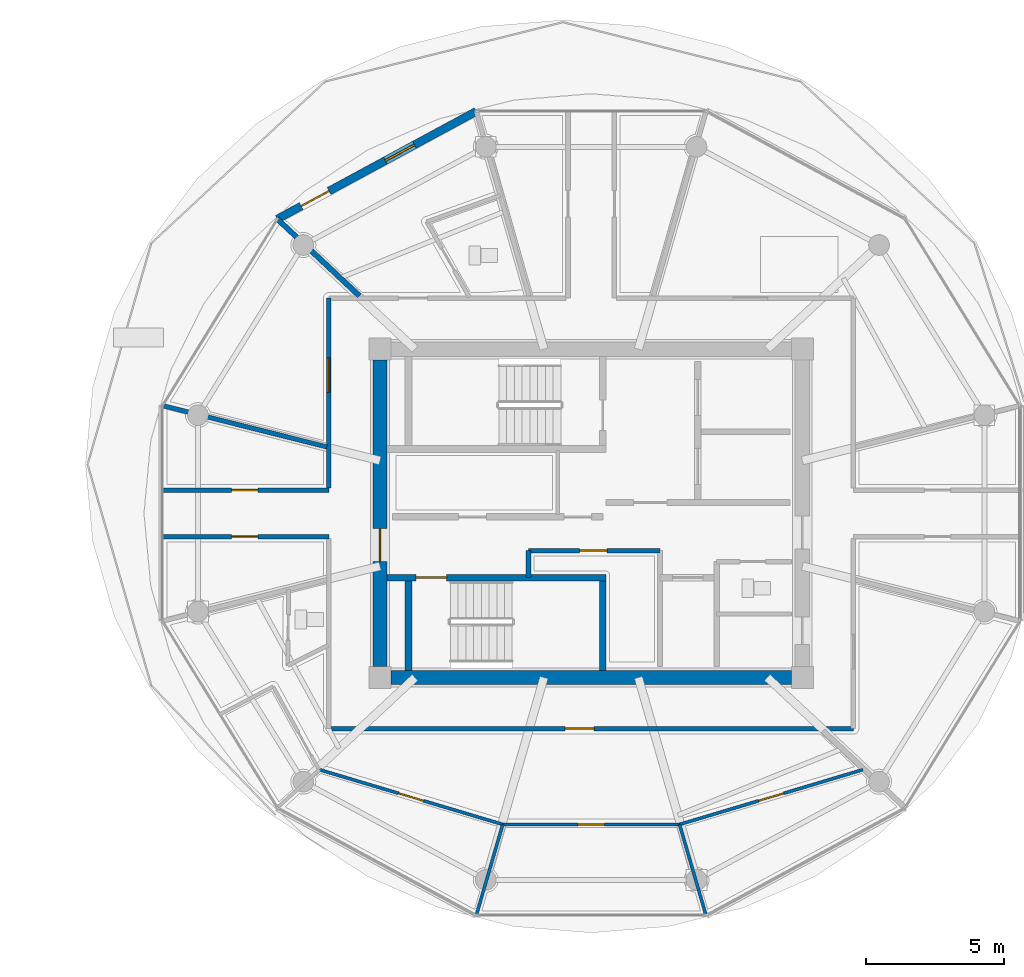
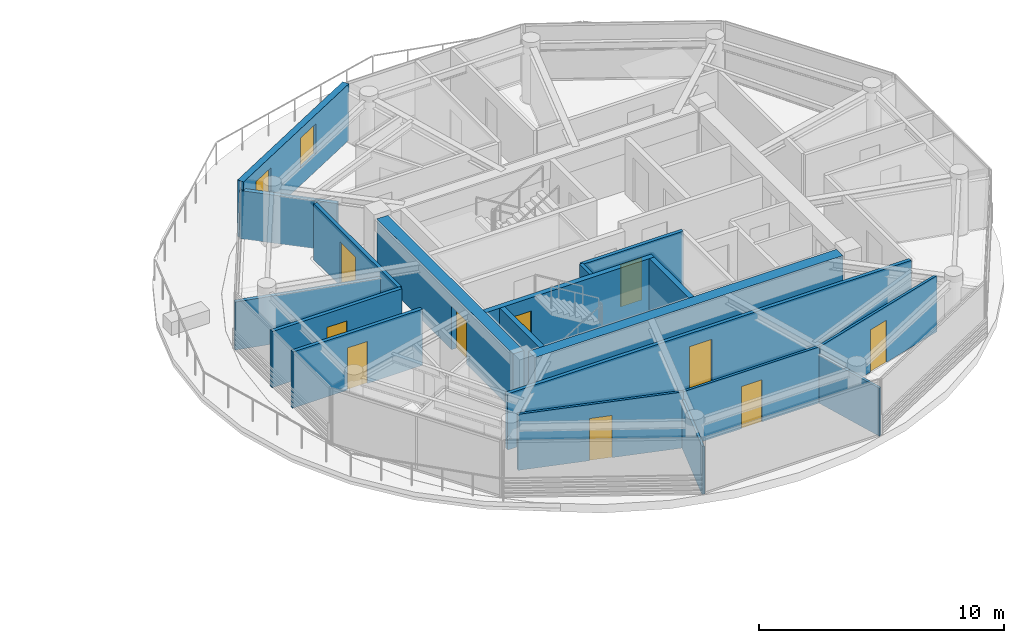
# One storey, part 13 of 28: 19 walls, 11 doors, 1 window, 12 openings.
"""IFC4 building model written with IfcOpenShell, lengths in metres."""

from ifc_helpers import new_model, si_unit, direction, frame, frame_2d, origin, place, context, subcontext, project, spatial, rectangle, extrude, source, transform, mapped, material, layer, layer_set, type_object, type_shapes, element, fill, save


model = new_model("IFC4")

# Units and contexts
model_context = context("Model", 3, precision=1e-05, world=origin(), true_north=direction((0.0, 1.0)))
body_context = subcontext(model_context, "Body", "Model", "MODEL_VIEW")
ifc_project = project(units=[si_unit("LENGTHUNIT", "METRE"), si_unit("AREAUNIT", "SQUARE_METRE"), si_unit("VOLUMEUNIT", "CUBIC_METRE"), si_unit("PLANEANGLEUNIT", "RADIAN"), si_unit("MASSUNIT", "GRAM", prefix="KILO")], contexts=[model_context])

# Site, building, storey
site_placement = place(None, origin())
site = spatial("IfcSite", under=ifc_project, at=site_placement, CompositionType="ELEMENT")
building_placement = place(site_placement, origin())
building = spatial("IfcBuilding", under=site, at=building_placement, Name="Norrkilde Senior Care Towers", CompositionType="ELEMENT")
storey_placement = place(building_placement, frame((0.0, 0.0, 190.64990234375)))
storey = spatial("IfcBuildingStorey", under=building, at=storey_placement, Name="L59", CompositionType="ELEMENT", Elevation=190.64990234375)

# Wall
ifc_material_1 = material(Name="Concrete C50/60", Category="concrete")
ifc_layer_1 = layer(ifc_material_1, 0.52001953125)
ifc_layer_set_1 = layer_set([ifc_layer_1], Name="Concrete C50/60")
wall_type_1 = type_object("IfcWallType", Name="Core Shear Wall Z4 520", PredefinedType="SHEAR", material=ifc_layer_set_1)
shared_shape_1 = source(origin(), body_context, "Body", "SweptSolid", [
    extrude(rectangle(XDim=14.5, YDim=0.52001953125, at=frame_2d((7.25, 0.0))), origin(), (0.0, 0.0, 1.0), 2.81005859375),
])
wall_1_placement = place(storey_placement, frame((35.25, -5.949951171875, 0.0), z_axis=(0.0, 0.0, 1.0), x_axis=(-1.0, 0.0, 0.0)))
element("IfcWall", 1, at=wall_1_placement, inside=storey, type_object=wall_type_1, Name="L59 Core E South Shear Wall", PredefinedType="SHEAR", context=body_context, shape_type="MappedRepresentation", body=[
    mapped(shared_shape_1, transform((0.0, 0.0, 0.0), x_axis=(1.0, 0.0, 0.0), y_axis=(0.0, 1.0, 0.0), z_axis=(0.0, 0.0, 1.0), scale=1.0)),
])

# Wall, opening, door
shared_shape_2 = source(origin(), body_context, "Body", "SweptSolid", [
    extrude(rectangle(XDim=11.10009765625, YDim=0.52001953125, at=frame_2d((5.550048828125, 0.0))), origin(), (0.0, 0.0, 1.0), 2.81005859375),
])
type_shapes(wall_type_1, [shared_shape_1, shared_shape_2])
wall_2_placement = place(storey_placement, frame((20.35009765625, -5.550048828125, 0.0), z_axis=(0.0, 0.0, 1.0), x_axis=(0.0, 1.0, 0.0)))
wall_2 = element("IfcWall", 2, at=wall_2_placement, inside=storey, type_object=wall_type_1, Name="L59 Core E West Shear Wall", PredefinedType="SHEAR", context=body_context, shape_type="MappedRepresentation", body=[
    mapped(shared_shape_2, transform((0.0, 0.0, 0.0), x_axis=(1.0, 0.0, 0.0), y_axis=(0.0, 1.0, 0.0), z_axis=(0.0, 0.0, 1.0), scale=1.0)),
])
opening_1_placement = place(wall_2_placement, frame((3.800048828125, 0.0, 0.0)))
opening_1 = element("IfcOpeningElement", 3, at=opening_1_placement, cuts=wall_2, Name="Opening D-04", PredefinedType="OPENING", context=body_context, shape_type="SweptSolid", body=[
    extrude(rectangle(XDim=1.199951171875, YDim=2.14990234375, at=frame_2d((0.60009765625, 1.074951171875))), frame((0.0, 0.27001953125, 0.0), z_axis=(0.0, -1.0, 0.0), x_axis=(1.0, 0.0, 0.0)), (0.0, 0.0, 1.0), 0.5400390625),
])
ifc_material_2 = material(Name="Galvanised Painted Steel", Category="steel")
door_type_1 = type_object("IfcDoorType", Name="Firefighting Lobby Fire Door 1200x2150", OperationType="NOTDEFINED", PredefinedType="DOOR", material=ifc_material_2)
shared_shape_3 = source(origin(), body_context, "Body", "SweptSolid", [
    extrude(rectangle(XDim=1.199951171875, YDim=2.14990234375, at=frame_2d((0.60009765625, 1.074951171875))), frame((0.0, 0.02490234375, 0.0), z_axis=(0.0, -1.0, 0.0), x_axis=(1.0, 0.0, 0.0)), (0.0, 0.0, 1.0), 0.050048828125),
])
type_shapes(door_type_1, [shared_shape_3])
door_1_placement = place(opening_1_placement, frame((1.199951171875, 0.0, 0.0), z_axis=(0.0, 0.0, 1.0), x_axis=(-1.0, 0.0, 0.0)))
door_1 = element("IfcDoor", 4, at=door_1_placement, inside=storey, type_object=door_type_1, Name="L59 Core E West Portal Door", OperationType="SINGLE_SWING_LEFT", OverallHeight=2.14990234375, OverallWidth=1.199951171875, PredefinedType="DOOR", context=body_context, shape_type="MappedRepresentation", body=[
    mapped(shared_shape_3, transform((0.0, 0.0, 0.0), x_axis=(1.0, 0.0, 0.0), y_axis=(0.0, 1.0, 0.0), z_axis=(0.0, 0.0, 1.0), scale=1.0)),
])
fill(opening_1, door_1)

# Wall, openings, door, window
ifc_material_3 = material(Name="Precast concrete C45/55", Category="concrete")
ifc_layer_2 = layer(ifc_material_3, 0.2900390625)
ifc_layer_set_2 = layer_set([ifc_layer_2], Name="Precast concrete C45/55")
wall_type_2 = type_object("IfcWallType", Name="Winter Garden Facade Wall 290", PredefinedType="SOLIDWALL", material=ifc_layer_set_2)
shared_shape_4 = source(origin(), body_context, "Body", "SweptSolid", [
    extrude(rectangle(XDim=8.197265625, YDim=0.2900390625, at=frame_2d((4.0986328125, 0.0))), origin(), (0.0, 0.0, 1.0), 2.81005859375),
])
type_shapes(wall_type_2, [shared_shape_4])
wall_3_placement = place(storey_placement, frame((16.629638671875, 10.6630859375, 0.0), z_axis=(0.0, 0.0, 1.0), x_axis=(0.879369910001, 0.476139224791, 0.0)))
wall_3 = element("IfcWall", 5, at=wall_3_placement, inside=storey, type_object=wall_type_2, Name="L59 Drum E Balcony Access Wall 03", PredefinedType="SOLIDWALL", context=body_context, shape_type="MappedRepresentation", body=[
    mapped(shared_shape_4, transform((0.0, 0.0, 0.0), x_axis=(1.0, 0.0, 0.0), y_axis=(0.0, 1.0, 0.0), z_axis=(0.0, 0.0, 1.0), scale=1.0)),
])
opening_2_placement = place(wall_3_placement, frame((0.97998046875, 0.0, 0.0)))
opening_2 = element("IfcOpeningElement", 6, at=opening_2_placement, cuts=wall_3, Name="Opening D-09", PredefinedType="OPENING", context=body_context, shape_type="SweptSolid", body=[
    extrude(rectangle(XDim=1.14990234375, YDim=2.25, at=frame_2d((0.574951171875, 1.125))), frame((0.0, 0.155029296875, 0.0), z_axis=(0.0, -1.0, 0.0), x_axis=(1.0, 0.0, 0.0)), (0.0, 0.0, 1.0), 0.31005859375),
])
opening_3_placement = place(wall_3_placement, frame((4.448486328125, 0.0, 0.85009765625)))
opening_3 = element("IfcOpeningElement", 7, at=opening_3_placement, cuts=wall_3, Name="Opening WN-07", PredefinedType="OPENING", context=body_context, shape_type="SweptSolid", body=[
    extrude(rectangle(XDim=1.199951171875, YDim=1.5, at=frame_2d((0.60009765625, 0.75))), frame((0.0, 0.155029296875, 0.0), z_axis=(0.0, -1.0, 0.0), x_axis=(1.0, 0.0, 0.0)), (0.0, 0.0, 1.0), 0.31005859375),
])
ifc_material_4 = material(Name="Anodised Aluminium", Category="aluminium")
door_type_2 = type_object("IfcDoorType", Name="Terrace and Balcony Glazed Door 1150x2250", OperationType="NOTDEFINED", PredefinedType="DOOR", material=ifc_material_4)
shared_shape_5 = source(origin(), body_context, "Body", "SweptSolid", [
    extrude(rectangle(XDim=1.14990234375, YDim=2.25, at=frame_2d((0.574951171875, 1.125))), frame((0.0, 0.02490234375, 0.0), z_axis=(0.0, -1.0, 0.0), x_axis=(1.0, 0.0, 0.0)), (0.0, 0.0, 1.0), 0.050048828125),
])
type_shapes(door_type_2, [shared_shape_5])
door_2_placement = place(opening_2_placement, origin())
door_2 = element("IfcDoor", 8, at=door_2_placement, inside=storey, type_object=door_type_2, Name="L59 Drum E Outdoor Terrace Door 03", OperationType="SINGLE_SWING_RIGHT", OverallHeight=2.25, OverallWidth=1.14990234375, PredefinedType="DOOR", context=body_context, shape_type="MappedRepresentation", body=[
    mapped(shared_shape_5, transform((0.0, 0.0, 0.0), x_axis=(1.0, 0.0, 0.0), y_axis=(0.0, 1.0, 0.0), z_axis=(0.0, 0.0, 1.0), scale=1.0)),
])
fill(opening_2, door_2)
ifc_material_5 = material(Name="Triple Low-E Insulated Glazing", Category="glass")
window_type = type_object("IfcWindowType", Name="Stairwell Smoke Vent Window 1200x1500", PartitioningType="SINGLE_PANEL", PredefinedType="WINDOW", material=ifc_material_5)
shared_shape_6 = source(origin(), body_context, "Body", "SweptSolid", [
    extrude(rectangle(XDim=1.199951171875, YDim=1.5, at=frame_2d((0.60009765625, 0.75))), frame((0.0, 0.030029296875, 0.0), z_axis=(0.0, -1.0, 0.0), x_axis=(1.0, 0.0, 0.0)), (0.0, 0.0, 1.0), 0.06005859375),
])
type_shapes(window_type, [shared_shape_6])
window_placement = place(opening_3_placement, origin())
window = element("IfcWindow", 9, at=window_placement, inside=storey, type_object=window_type, Name="L59 Drum E Winter Garden Window 03", OverallHeight=1.5, OverallWidth=1.199951171875, PartitioningType="SINGLE_PANEL", PredefinedType="WINDOW", context=body_context, shape_type="MappedRepresentation", body=[
    mapped(shared_shape_6, transform((0.0, 0.0, 0.0), x_axis=(1.0, 0.0, 0.0), y_axis=(0.0, 1.0, 0.0), z_axis=(0.0, 0.0, 1.0), scale=1.0)),
])
fill(opening_3, window)

# Wall, opening, door
ifc_material_6 = material(Name="Gypsum Acoustic Board")
ifc_layer_3 = layer(ifc_material_6, 0.1650390625)
ifc_layer_set_3 = layer_set([ifc_layer_3], Name="Gypsum Acoustic Board")
wall_type_3 = type_object("IfcWallType", Name="Corridor Rated Partition 165", PredefinedType="PARTITIONING", material=ifc_layer_set_3)
shared_shape_7 = source(origin(), body_context, "Body", "SweptSolid", [
    extrude(rectangle(XDim=19.0, YDim=0.1650390625, at=frame_2d((9.5, 0.0))), origin(), (0.0, 0.0, 1.0), 2.795166015625),
])
wall_4_placement = place(storey_placement, frame((37.5, -7.800048828125, 0.0), z_axis=(0.0, 0.0, 1.0), x_axis=(-1.0, 0.0, 0.0)))
wall_4 = element("IfcWall", 10, at=wall_4_placement, inside=storey, type_object=wall_type_3, Name="WL-INT-L59-E-CRW-S-0", PredefinedType="PARTITIONING", context=body_context, shape_type="MappedRepresentation", body=[
    mapped(shared_shape_7, transform((0.0, 0.0, 0.0), x_axis=(1.0, 0.0, 0.0), y_axis=(0.0, 1.0, 0.0), z_axis=(0.0, 0.0, 1.0), scale=1.0)),
])
opening_4_placement = place(wall_4_placement, frame((9.39208984375, 0.0, 0.0)))
opening_4 = element("IfcOpeningElement", 11, at=opening_4_placement, cuts=wall_4, Name="Opening D-06", PredefinedType="OPENING", context=body_context, shape_type="SweptSolid", body=[
    extrude(rectangle(XDim=1.050048828125, YDim=2.14990234375, at=frame_2d((0.52490234375, 1.074951171875))), frame((0.0, 0.092529296875, 0.0), z_axis=(0.0, -1.0, 0.0), x_axis=(1.0, 0.0, 0.0)), (0.0, 0.0, 1.0), 0.18505859375),
])
ifc_material_7 = material(Name="Nordic Ash Timber", Category="wood")
door_type_3 = type_object("IfcDoorType", Name="Apartment Entrance Fire Door 1050x2150", OperationType="NOTDEFINED", PredefinedType="DOOR", material=ifc_material_7)
shared_shape_8 = source(origin(), body_context, "Body", "SweptSolid", [
    extrude(rectangle(XDim=1.050048828125, YDim=2.14990234375, at=frame_2d((0.52490234375, 1.074951171875))), frame((0.0, 0.02490234375, 0.0), z_axis=(0.0, -1.0, 0.0), x_axis=(1.0, 0.0, 0.0)), (0.0, 0.0, 1.0), 0.050048828125),
])
type_shapes(door_type_3, [shared_shape_8])
door_3_placement = place(opening_4_placement, frame((1.050048828125, 0.0, 0.0), z_axis=(0.0, 0.0, 1.0), x_axis=(-1.0, 0.0, 0.0)))
door_3 = element("IfcDoor", 12, at=door_3_placement, inside=storey, type_object=door_type_3, Name="Apartment 59D Entrance Door", OperationType="SINGLE_SWING_LEFT", OverallHeight=2.14990234375, OverallWidth=1.050048828125, PredefinedType="DOOR", context=body_context, shape_type="MappedRepresentation", body=[
    mapped(shared_shape_8, transform((0.0, 0.0, 0.0), x_axis=(1.0, 0.0, 0.0), y_axis=(0.0, 1.0, 0.0), z_axis=(0.0, 0.0, 1.0), scale=1.0)),
])
fill(opening_4, door_3)

shared_shape_9 = source(origin(), body_context, "Body", "SweptSolid", [
    extrude(rectangle(XDim=6.880126953125, YDim=0.1650390625, at=frame_2d((3.43994140625, 0.0))), origin(), (0.0, 0.0, 1.0), 2.795166015625),
])
wall_5_placement = place(storey_placement, frame((18.5, 0.919921875, 0.0), z_axis=(0.0, 0.0, 1.0), x_axis=(0.0, 1.0, 0.0)))
wall_5 = element("IfcWall", 13, at=wall_5_placement, inside=storey, type_object=wall_type_3, Name="WL-INT-L59-E-CRW-W-1", PredefinedType="PARTITIONING", context=body_context, shape_type="MappedRepresentation", body=[
    mapped(shared_shape_9, transform((0.0, 0.0, 0.0), x_axis=(1.0, 0.0, 0.0), y_axis=(0.0, 1.0, 0.0), z_axis=(0.0, 0.0, 1.0), scale=1.0)),
])
opening_5_placement = place(wall_5_placement, frame((3.46435546875, 0.0, 0.0)))
opening_5 = element("IfcOpeningElement", 14, at=opening_5_placement, cuts=wall_5, Name="Opening D-05", PredefinedType="OPENING", context=body_context, shape_type="SweptSolid", body=[
    extrude(rectangle(XDim=1.25, YDim=2.199951171875, at=frame_2d((0.625, 1.10009765625))), frame((0.0, 0.092529296875, 0.0), z_axis=(0.0, -1.0, 0.0), x_axis=(1.0, 0.0, 0.0)), (0.0, 0.0, 1.0), 0.18505859375),
])
door_type_4 = type_object("IfcDoorType", Name="Care Bedroom Bariatric Door 1250x2200", OperationType="NOTDEFINED", PredefinedType="DOOR", material=ifc_material_7)
shared_shape_10 = source(origin(), body_context, "Body", "SweptSolid", [
    extrude(rectangle(XDim=1.25, YDim=2.199951171875, at=frame_2d((0.625, 1.10009765625))), frame((0.0, 0.02490234375, 0.0), z_axis=(0.0, -1.0, 0.0), x_axis=(1.0, 0.0, 0.0)), (0.0, 0.0, 1.0), 0.050048828125),
])
type_shapes(door_type_4, [shared_shape_10])
door_4_placement = place(opening_5_placement, frame((1.25, 0.0, 0.0), z_axis=(0.0, 0.0, 1.0), x_axis=(-1.0, 0.0, 0.0)))
door_4 = element("IfcDoor", 15, at=door_4_placement, inside=storey, type_object=door_type_4, Name="L59 Senior Wellness Library Lounge Door", OperationType="SINGLE_SWING_LEFT", OverallHeight=2.199951171875, OverallWidth=1.25, PredefinedType="DOOR", context=body_context, shape_type="MappedRepresentation", body=[
    mapped(shared_shape_10, transform((0.0, 0.0, 0.0), x_axis=(1.0, 0.0, 0.0), y_axis=(0.0, 1.0, 0.0), z_axis=(0.0, 0.0, 1.0), scale=1.0)),
])
fill(opening_5, door_4)

shared_shape_11 = source(origin(), body_context, "Body", "SweptSolid", [
    extrude(rectangle(XDim=4.77001953125, YDim=0.1650390625, at=frame_2d((2.385009765625, 0.0))), origin(), (0.0, 0.0, 1.0), 2.795166015625),
])
wall_6_placement = place(storey_placement, frame((25.72998046875, -1.35009765625, 0.0), z_axis=(0.0, 0.0, 1.0), x_axis=(1.0, 0.0, 0.0)))
wall_6 = element("IfcWall", 16, at=wall_6_placement, inside=storey, type_object=wall_type_3, Name="WL-INT-L59-E-FR2N", PredefinedType="PARTITIONING", context=body_context, shape_type="MappedRepresentation", body=[
    mapped(shared_shape_11, transform((0.0, 0.0, 0.0), x_axis=(1.0, 0.0, 0.0), y_axis=(0.0, 1.0, 0.0), z_axis=(0.0, 0.0, 1.0), scale=1.0)),
])
opening_6_placement = place(wall_6_placement, frame((1.85009765625, 0.0, 0.0)))
opening_6 = element("IfcOpeningElement", 17, at=opening_6_placement, cuts=wall_6, Name="Opening D-10", PredefinedType="OPENING", context=body_context, shape_type="SweptSolid", body=[
    extrude(rectangle(XDim=1.0, YDim=2.10009765625, at=frame_2d((0.5, 1.050048828125))), frame((0.0, 0.092529296875, 0.0), z_axis=(0.0, -1.0, 0.0), x_axis=(1.0, 0.0, 0.0)), (0.0, 0.0, 1.0), 0.18505859375),
])
door_type_5 = type_object("IfcDoorType", Name="Plant and Riser Rated Door 1000x2100", OperationType="NOTDEFINED", PredefinedType="DOOR", material=ifc_material_2)
shared_shape_12 = source(origin(), body_context, "Body", "SweptSolid", [
    extrude(rectangle(XDim=1.0, YDim=2.10009765625, at=frame_2d((0.5, 1.050048828125))), frame((0.0, 0.02490234375, 0.0), z_axis=(0.0, -1.0, 0.0), x_axis=(1.0, 0.0, 0.0)), (0.0, 0.0, 1.0), 0.050048828125),
])
type_shapes(door_type_5, [shared_shape_12])
door_5_placement = place(opening_6_placement, origin())
door_5 = element("IfcDoor", 18, at=door_5_placement, inside=storey, type_object=door_type_5, Name="L59 Core Pantry E Door", OperationType="SINGLE_SWING_RIGHT", OverallHeight=2.10009765625, OverallWidth=1.0, PredefinedType="DOOR", context=body_context, shape_type="MappedRepresentation", body=[
    mapped(shared_shape_12, transform((0.0, 0.0, 0.0), x_axis=(1.0, 0.0, 0.0), y_axis=(0.0, 1.0, 0.0), z_axis=(0.0, 0.0, 1.0), scale=1.0)),
])
fill(opening_6, door_5)

# Wall
shared_shape_13 = source(origin(), body_context, "Body", "SweptSolid", [
    extrude(rectangle(XDim=0.97998046875, YDim=0.1650390625, at=frame_2d((0.489990234375, 0.0))), origin(), (0.0, 0.0, 1.0), 2.795166015625),
])
wall_7_placement = place(storey_placement, frame((25.72998046875, -2.330078125, 0.0), z_axis=(0.0, 0.0, 1.0), x_axis=(0.0, 1.0, 0.0)))
element("IfcWall", 19, at=wall_7_placement, inside=storey, type_object=wall_type_3, Name="WL-INT-L59-E-FR2W", PredefinedType="PARTITIONING", context=body_context, shape_type="MappedRepresentation", body=[
    mapped(shared_shape_13, transform((0.0, 0.0, 0.0), x_axis=(1.0, 0.0, 0.0), y_axis=(0.0, 1.0, 0.0), z_axis=(0.0, 0.0, 1.0), scale=1.0)),
])

# Wall, opening, door
ifc_material_8 = material(Name="Concrete C45/55", Category="concrete")
ifc_layer_4 = layer(ifc_material_8, 0.239990234375)
ifc_layer_set_4 = layer_set([ifc_layer_4], Name="Concrete C45/55")
wall_type_4 = type_object("IfcWallType", Name="Shaft and Stair Enclosure Wall 240", PredefinedType="PARTITIONING", material=ifc_layer_set_4)
shared_shape_14 = source(origin(), body_context, "Body", "SweptSolid", [
    extrude(rectangle(XDim=7.929931640625, YDim=0.239990234375, at=frame_2d((3.96484375, 0.0))), origin(), (0.0, 0.0, 1.0), 2.81005859375),
])
wall_8_placement = place(storey_placement, frame((20.610107421875, -2.330078125, 0.0), z_axis=(0.0, 0.0, 1.0), x_axis=(1.0, 0.0, 0.0)))
wall_8 = element("IfcWall", 20, at=wall_8_placement, inside=storey, type_object=wall_type_4, Name="WL-INT-L59-E-ST2N", PredefinedType="PARTITIONING", context=body_context, shape_type="MappedRepresentation", body=[
    mapped(shared_shape_14, transform((0.0, 0.0, 0.0), x_axis=(1.0, 0.0, 0.0), y_axis=(0.0, 1.0, 0.0), z_axis=(0.0, 0.0, 1.0), scale=1.0)),
])
opening_7_placement = place(wall_8_placement, frame((1.050048828125, 0.0, 0.0)))
opening_7 = element("IfcOpeningElement", 21, at=opening_7_placement, cuts=wall_8, Name="Opening D-03", PredefinedType="OPENING", context=body_context, shape_type="SweptSolid", body=[
    extrude(rectangle(XDim=1.10009765625, YDim=2.14990234375, at=frame_2d((0.550048828125, 1.074951171875))), frame((0.0, 0.1298828125, 0.0), z_axis=(0.0, -1.0, 0.0), x_axis=(1.0, 0.0, 0.0)), (0.0, 0.0, 1.0), 0.260009765625),
])
door_type_6 = type_object("IfcDoorType", Name="Stairwell Protected Fire Door 1100x2150", OperationType="NOTDEFINED", PredefinedType="DOOR", material=ifc_material_2)
shared_shape_15 = source(origin(), body_context, "Body", "SweptSolid", [
    extrude(rectangle(XDim=1.10009765625, YDim=2.14990234375, at=frame_2d((0.550048828125, 1.074951171875))), frame((0.0, 0.02490234375, 0.0), z_axis=(0.0, -1.0, 0.0), x_axis=(1.0, 0.0, 0.0)), (0.0, 0.0, 1.0), 0.050048828125),
])
type_shapes(door_type_6, [shared_shape_15])
door_6_placement = place(opening_7_placement, frame((1.10009765625, 0.0, 0.0), z_axis=(0.0, 0.0, 1.0), x_axis=(-1.0, 0.0, 0.0)))
door_6 = element("IfcDoor", 22, at=door_6_placement, inside=storey, type_object=door_type_6, Name="L59 Stair E2 Fire Door", OperationType="SINGLE_SWING_RIGHT", OverallHeight=2.14990234375, OverallWidth=1.10009765625, PredefinedType="DOOR", context=body_context, shape_type="MappedRepresentation", body=[
    mapped(shared_shape_15, transform((0.0, 0.0, 0.0), x_axis=(1.0, 0.0, 0.0), y_axis=(0.0, 1.0, 0.0), z_axis=(0.0, 0.0, 1.0), scale=1.0)),
])
fill(opening_7, door_6)

# Walls
shared_shape_16 = source(origin(), body_context, "Body", "SweptSolid", [
    extrude(rectangle(XDim=3.239990234375, YDim=0.239990234375, at=frame_2d((1.6201171875, 0.0))), origin(), (0.0, 0.0, 1.0), 2.81005859375),
])
type_shapes(wall_type_4, [shared_shape_14, shared_shape_16])
for number, where, z_axis, x_axis, name in (
    (23, (21.3798828125, -5.68994140625, 0.0), (0.0, 0.0, 1.0), (0.0, 1.0, 0.0), "WL-INT-L59-E-ST2W"),
    (24, (28.419921875, -5.68994140625, 0.0), (0.0, 0.0, 1.0), (0.0, 1.0, 0.0), "WL-INT-L59-E-ST2E"),
):
    element("IfcWall", number, at=place(storey_placement, frame(where, z_axis=z_axis, x_axis=x_axis)), inside=storey, type_object=wall_type_4, Name=name, PredefinedType="PARTITIONING", context=body_context, shape_type="MappedRepresentation", body=[
        mapped(shared_shape_16, transform((0.0, 0.0, 0.0), x_axis=(1.0, 0.0, 0.0), y_axis=(0.0, 1.0, 0.0), z_axis=(0.0, 0.0, 1.0), scale=1.0)),
    ])
shared_shape_17 = source(origin(), body_context, "Body", "SweptSolid", [
    extrude(rectangle(XDim=6.1572265625, YDim=0.1650390625, at=frame_2d((3.07861328125, 0.0))), origin(), (0.0, 0.0, 1.0), 2.39501953125),
])
wall_9_placement = place(storey_placement, frame((18.419921875, 2.407470703125, 0.0), z_axis=(0.0, 0.0, 1.0), x_axis=(-0.969840867184, 0.243738984038, 0.0)))
element("IfcWall", 25, at=wall_9_placement, inside=storey, type_object=wall_type_3, Name="WL-INT-L59-E-DEM-05-0", PredefinedType="PARTITIONING", context=body_context, shape_type="MappedRepresentation", body=[
    mapped(shared_shape_17, transform((0.0, 0.0, 0.0), x_axis=(1.0, 0.0, 0.0), y_axis=(0.0, 1.0, 0.0), z_axis=(0.0, 0.0, 1.0), scale=1.0)),
])

# Wall, opening, door
shared_shape_18 = source(origin(), body_context, "Body", "SweptSolid", [
    extrude(rectangle(XDim=6.101318359375, YDim=0.1650390625, at=frame_2d((3.05078125, 0.0))), origin(), (0.0, 0.0, 1.0), 2.795166015625),
])
type_shapes(wall_type_3, [shared_shape_7, shared_shape_9, shared_shape_11, shared_shape_13, shared_shape_17, shared_shape_18])
wall_10_placement = place(storey_placement, frame((12.398681640625, 0.840087890625, 0.0), z_axis=(0.0, 0.0, 1.0), x_axis=(1.0, 0.0, 0.0)))
wall_10 = element("IfcWall", 26, at=wall_10_placement, inside=storey, type_object=wall_type_3, Name="WL-INT-L59-E-SPK-W1-0", PredefinedType="PARTITIONING", context=body_context, shape_type="MappedRepresentation", body=[
    mapped(shared_shape_18, transform((0.0, 0.0, 0.0), x_axis=(1.0, 0.0, 0.0), y_axis=(0.0, 1.0, 0.0), z_axis=(0.0, 0.0, 1.0), scale=1.0)),
])
opening_8_placement = place(wall_10_placement, frame((2.57568359375, 0.0, 0.0)))
opening_8 = element("IfcOpeningElement", 27, at=opening_8_placement, cuts=wall_10, Name="Opening D-07", PredefinedType="OPENING", context=body_context, shape_type="SweptSolid", body=[
    extrude(rectangle(XDim=0.949951171875, YDim=2.10009765625, at=frame_2d((0.47509765625, 1.050048828125))), frame((0.0, 0.092529296875, 0.0), z_axis=(0.0, -1.0, 0.0), x_axis=(1.0, 0.0, 0.0)), (0.0, 0.0, 1.0), 0.18505859375),
])
door_type_7 = type_object("IfcDoorType", Name="Internal Suite Bedroom Door 950x2100", OperationType="NOTDEFINED", PredefinedType="DOOR", material=ifc_material_7)
shared_shape_19 = source(origin(), body_context, "Body", "SweptSolid", [
    extrude(rectangle(XDim=0.949951171875, YDim=2.10009765625, at=frame_2d((0.47509765625, 1.050048828125))), frame((0.0, 0.02490234375, 0.0), z_axis=(0.0, -1.0, 0.0), x_axis=(1.0, 0.0, 0.0)), (0.0, 0.0, 1.0), 0.050048828125),
])
type_shapes(door_type_7, [shared_shape_19])
door_7_placement = place(opening_8_placement, frame((0.949951171875, 0.0, 0.0), z_axis=(0.0, 0.0, 1.0), x_axis=(-1.0, 0.0, 0.0)))
door_7 = element("IfcDoor", 28, at=door_7_placement, inside=storey, type_object=door_type_7, Name="L59 Sun Reading Lounge 2 Door", OperationType="SINGLE_SWING_LEFT", OverallHeight=2.10009765625, OverallWidth=0.949951171875, PredefinedType="DOOR", context=body_context, shape_type="MappedRepresentation", body=[
    mapped(shared_shape_19, transform((0.0, 0.0, 0.0), x_axis=(1.0, 0.0, 0.0), y_axis=(0.0, 1.0, 0.0), z_axis=(0.0, 0.0, 1.0), scale=1.0)),
])
fill(opening_8, door_7)

wall_11_placement = place(storey_placement, frame((18.5, -0.840087890625, 0.0), z_axis=(0.0, 0.0, 1.0), x_axis=(-1.0, 0.0, 0.0)))
wall_11 = element("IfcWall", 29, at=wall_11_placement, inside=storey, type_object=wall_type_3, Name="WL-INT-L59-E-SPK-W2-0", PredefinedType="PARTITIONING", context=body_context, shape_type="MappedRepresentation", body=[
    mapped(shared_shape_18, transform((0.0, 0.0, 0.0), x_axis=(1.0, 0.0, 0.0), y_axis=(0.0, 1.0, 0.0), z_axis=(0.0, 0.0, 1.0), scale=1.0)),
])
opening_9_placement = place(wall_11_placement, frame((2.57568359375, 0.0, 0.0)))
opening_9 = element("IfcOpeningElement", 30, at=opening_9_placement, cuts=wall_11, Name="Opening D-07", PredefinedType="OPENING", context=body_context, shape_type="SweptSolid", body=[
    extrude(rectangle(XDim=0.949951171875, YDim=2.10009765625, at=frame_2d((0.47509765625, 1.050048828125))), frame((0.0, 0.092529296875, 0.0), z_axis=(0.0, -1.0, 0.0), x_axis=(1.0, 0.0, 0.0)), (0.0, 0.0, 1.0), 0.18505859375),
])
door_8_placement = place(opening_9_placement, frame((0.949951171875, 0.0, 0.0), z_axis=(0.0, 0.0, 1.0), x_axis=(-1.0, 0.0, 0.0)))
door_8 = element("IfcDoor", 31, at=door_8_placement, inside=storey, type_object=door_type_7, Name="L59 Sun Reading Lounge 1 Door", OperationType="SINGLE_SWING_RIGHT", OverallHeight=2.10009765625, OverallWidth=0.949951171875, PredefinedType="DOOR", context=body_context, shape_type="MappedRepresentation", body=[
    mapped(shared_shape_19, transform((0.0, 0.0, 0.0), x_axis=(1.0, 0.0, 0.0), y_axis=(0.0, 1.0, 0.0), z_axis=(0.0, 0.0, 1.0), scale=1.0)),
])
fill(opening_9, door_8)

# Wall
ifc_layer_5 = layer(ifc_material_6, 0.18994140625)
ifc_layer_set_5 = layer_set([ifc_layer_5], Name="Gypsum Acoustic Board")
wall_type_5 = type_object("IfcWallType", Name="Unit Demising Acoustic Wall 190", PredefinedType="PARTITIONING", material=ifc_layer_set_5)
shared_shape_20 = source(origin(), body_context, "Body", "SweptSolid", [
    extrude(rectangle(XDim=4.089111328125, YDim=0.18994140625, at=frame_2d((2.04443359375, 0.0))), origin(), (0.0, 0.0, 1.0), 2.39501953125),
])
type_shapes(wall_type_5, [shared_shape_20])
wall_12_placement = place(storey_placement, frame((19.59814453125, 7.8798828125, 0.0), z_axis=(0.0, 0.0, 1.0), x_axis=(-0.729401273609, 0.684086092577, 0.0)))
element("IfcWall", 32, at=wall_12_placement, inside=storey, type_object=wall_type_5, Name="WL-INT-L59-E-DEM-04-0", PredefinedType="PARTITIONING", context=body_context, shape_type="MappedRepresentation", body=[
    mapped(shared_shape_20, transform((0.0, 0.0, 0.0), x_axis=(1.0, 0.0, 0.0), y_axis=(0.0, 1.0, 0.0), z_axis=(0.0, 0.0, 1.0), scale=1.0)),
])

# Wall, opening, door
ifc_layer_6 = layer(ifc_material_6, 0.114990234375)
ifc_layer_set_6 = layer_set([ifc_layer_6], Name="Gypsum Acoustic Board")
wall_type_6 = type_object("IfcWallType", Name="Internal Room Partition 115", PredefinedType="PARTITIONING", material=ifc_layer_set_6)
shared_shape_21 = source(origin(), body_context, "Body", "SweptSolid", [
    extrude(rectangle(XDim=6.935791015625, YDim=0.114990234375, at=frame_2d((3.4677734375, 0.0))), origin(), (0.0, 0.0, 1.0), 2.795166015625),
])
wall_13_placement = place(storey_placement, frame((18.1513671875, -9.287109375, 0.0), z_axis=(0.0, 0.0, 1.0), x_axis=(0.958186895835, -0.286143098205, 0.0)))
wall_13 = element("IfcWall", 33, at=wall_13_placement, inside=storey, type_object=wall_type_6, Name="WL-INT-L59-E-UBC-06-1", PredefinedType="PARTITIONING", context=body_context, shape_type="MappedRepresentation", body=[
    mapped(shared_shape_21, transform((0.0, 0.0, 0.0), x_axis=(1.0, 0.0, 0.0), y_axis=(0.0, 1.0, 0.0), z_axis=(0.0, 0.0, 1.0), scale=1.0)),
])
opening_10_placement = place(wall_13_placement, frame((2.992919921875, 0.0, 0.0)))
opening_10 = element("IfcOpeningElement", 34, at=opening_10_placement, cuts=wall_13, Name="Opening D-07", PredefinedType="OPENING", context=body_context, shape_type="SweptSolid", body=[
    extrude(rectangle(XDim=0.949951171875, YDim=2.10009765625, at=frame_2d((0.47509765625, 1.050048828125))), frame((0.0, 0.0673828125, 0.0), z_axis=(0.0, -1.0, 0.0), x_axis=(1.0, 0.0, 0.0)), (0.0, 0.0, 1.0), 0.135009765625),
])
door_9_placement = place(opening_10_placement, origin())
door_9 = element("IfcDoor", 35, at=door_9_placement, inside=storey, type_object=door_type_7, Name="Apartment 59D Bedroom 1 Door", OperationType="SINGLE_SWING_RIGHT", OverallHeight=2.10009765625, OverallWidth=0.949951171875, PredefinedType="DOOR", context=body_context, shape_type="MappedRepresentation", body=[
    mapped(shared_shape_19, transform((0.0, 0.0, 0.0), x_axis=(1.0, 0.0, 0.0), y_axis=(0.0, 1.0, 0.0), z_axis=(0.0, 0.0, 1.0), scale=1.0)),
])
fill(opening_10, door_9)

wall_14_placement = place(storey_placement, frame((31.202880859375, -11.271728515625, 0.0), z_axis=(0.0, 0.0, 1.0), x_axis=(0.958186895835, 0.286143098205, 0.0)))
wall_14 = element("IfcWall", 36, at=wall_14_placement, inside=storey, type_object=wall_type_6, Name="WL-INT-L59-E-UBC-06-3", PredefinedType="PARTITIONING", context=body_context, shape_type="MappedRepresentation", body=[
    mapped(shared_shape_21, transform((0.0, 0.0, 0.0), x_axis=(1.0, 0.0, 0.0), y_axis=(0.0, 1.0, 0.0), z_axis=(0.0, 0.0, 1.0), scale=1.0)),
])
opening_11_placement = place(wall_14_placement, frame((2.992919921875, 0.0, 0.0)))
opening_11 = element("IfcOpeningElement", 37, at=opening_11_placement, cuts=wall_14, Name="Opening D-07", PredefinedType="OPENING", context=body_context, shape_type="SweptSolid", body=[
    extrude(rectangle(XDim=0.949951171875, YDim=2.10009765625, at=frame_2d((0.47509765625, 1.050048828125))), frame((0.0, 0.0673828125, 0.0), z_axis=(0.0, -1.0, 0.0), x_axis=(1.0, 0.0, 0.0)), (0.0, 0.0, 1.0), 0.135009765625),
])
door_10_placement = place(opening_11_placement, origin())
door_10 = element("IfcDoor", 38, at=door_10_placement, inside=storey, type_object=door_type_7, Name="Apartment 59D Bedroom 3 Door", OperationType="SINGLE_SWING_RIGHT", OverallHeight=2.10009765625, OverallWidth=0.949951171875, PredefinedType="DOOR", context=body_context, shape_type="MappedRepresentation", body=[
    mapped(shared_shape_19, transform((0.0, 0.0, 0.0), x_axis=(1.0, 0.0, 0.0), y_axis=(0.0, 1.0, 0.0), z_axis=(0.0, 0.0, 1.0), scale=1.0)),
])
fill(opening_11, door_10)

shared_shape_22 = source(origin(), body_context, "Body", "SweptSolid", [
    extrude(rectangle(XDim=6.404296875, YDim=0.114990234375, at=frame_2d((3.2021484375, 0.0))), origin(), (0.0, 0.0, 1.0), 2.795166015625),
])
wall_15_placement = place(storey_placement, frame((24.7978515625, -11.26904296875, 0.0), z_axis=(0.0, 0.0, 1.0), x_axis=(1.0, 0.0, 0.0)))
wall_15 = element("IfcWall", 39, at=wall_15_placement, inside=storey, type_object=wall_type_6, Name="WL-INT-L59-E-UBC-06-2", PredefinedType="PARTITIONING", context=body_context, shape_type="MappedRepresentation", body=[
    mapped(shared_shape_22, transform((0.0, 0.0, 0.0), x_axis=(1.0, 0.0, 0.0), y_axis=(0.0, 1.0, 0.0), z_axis=(0.0, 0.0, 1.0), scale=1.0)),
])
opening_12_placement = place(wall_15_placement, frame((2.72705078125, 0.0, 0.0)))
opening_12 = element("IfcOpeningElement", 40, at=opening_12_placement, cuts=wall_15, Name="Opening D-07", PredefinedType="OPENING", context=body_context, shape_type="SweptSolid", body=[
    extrude(rectangle(XDim=0.949951171875, YDim=2.10009765625, at=frame_2d((0.47509765625, 1.050048828125))), frame((0.0, 0.0673828125, 0.0), z_axis=(0.0, -1.0, 0.0), x_axis=(1.0, 0.0, 0.0)), (0.0, 0.0, 1.0), 0.135009765625),
])
door_11_placement = place(opening_12_placement, frame((0.949951171875, 0.0, 0.0), z_axis=(0.0, 0.0, 1.0), x_axis=(-1.0, 0.0, 0.0)))
door_11 = element("IfcDoor", 41, at=door_11_placement, inside=storey, type_object=door_type_7, Name="Apartment 59D Bedroom 2 Door", OperationType="SINGLE_SWING_LEFT", OverallHeight=2.10009765625, OverallWidth=0.949951171875, PredefinedType="DOOR", context=body_context, shape_type="MappedRepresentation", body=[
    mapped(shared_shape_19, transform((0.0, 0.0, 0.0), x_axis=(1.0, 0.0, 0.0), y_axis=(0.0, 1.0, 0.0), z_axis=(0.0, 0.0, 1.0), scale=1.0)),
])
fill(opening_12, door_11)

# Walls
shared_shape_23 = source(origin(), body_context, "Body", "SweptSolid", [
    extrude(rectangle(XDim=3.453857421875, YDim=0.114990234375, at=frame_2d((1.72705078125, 0.0))), origin(), (0.0, 0.0, 1.0), 2.39501953125),
])
wall_16_placement = place(storey_placement, frame((24.7978515625, -11.26904296875, 0.0), z_axis=(0.0, 0.0, 1.0), x_axis=(-0.279348499358, -0.960189781193, 0.0)))
element("IfcWall", 42, at=wall_16_placement, inside=storey, type_object=wall_type_6, Name="WL-INT-L59-E-UBR-06-2", PredefinedType="PARTITIONING", context=body_context, shape_type="MappedRepresentation", body=[
    mapped(shared_shape_23, transform((0.0, 0.0, 0.0), x_axis=(1.0, 0.0, 0.0), y_axis=(0.0, 1.0, 0.0), z_axis=(0.0, 0.0, 1.0), scale=1.0)),
])
shared_shape_24 = source(origin(), body_context, "Body", "SweptSolid", [
    extrude(rectangle(XDim=3.451171875, YDim=0.114990234375, at=frame_2d((1.7255859375, 0.0))), origin(), (0.0, 0.0, 1.0), 2.39501953125),
])
type_shapes(wall_type_6, [shared_shape_21, shared_shape_22, shared_shape_23, shared_shape_24])
wall_17_placement = place(storey_placement, frame((31.202880859375, -11.271728515625, 0.0), z_axis=(0.0, 0.0, 1.0), x_axis=(0.279361559083, -0.960185981624, 0.0)))
element("IfcWall", 43, at=wall_17_placement, inside=storey, type_object=wall_type_6, Name="WL-INT-L59-E-UBR-06-3", PredefinedType="PARTITIONING", context=body_context, shape_type="MappedRepresentation", body=[
    mapped(shared_shape_24, transform((0.0, 0.0, 0.0), x_axis=(1.0, 0.0, 0.0), y_axis=(0.0, 1.0, 0.0), z_axis=(0.0, 0.0, 1.0), scale=1.0)),
])

save(model, "model.ifc")
